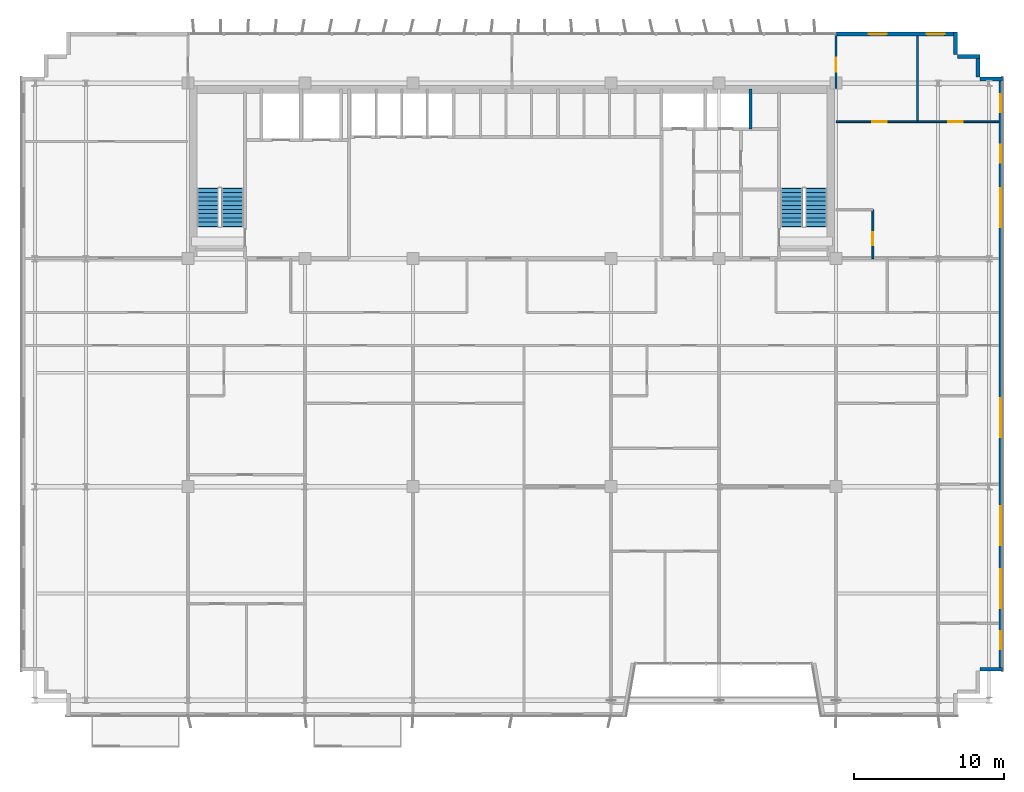
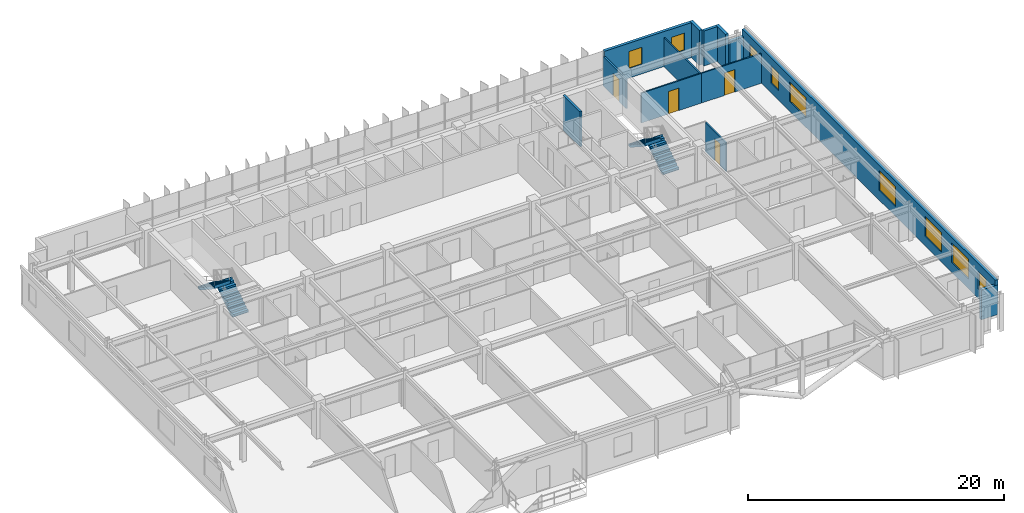
# One storey, part 23 of 26: 13 walls, 9 windows, 4 doors, 4 stair flights, 13 openings, 2 elements without a shape of their own.
"""IFC4 building model written with IfcOpenShell, lengths in metres."""

from ifc_helpers import new_model, si_unit, direction, frame, frame_2d, origin, place, context, subcontext, project, spatial, polyline, rectangle, outline, extrude, source, transform, mapped, material, layer, layer_set, type_object, element, fill, aggregate, save


model = new_model("IFC4")

# Units and contexts
model_context = context("Model", 3, precision=1e-05, world=origin(), true_north=direction((0.0, 1.0)))
body_context = subcontext(model_context, "Body", "Model", "MODEL_VIEW")
ifc_project = project(units=[si_unit("LENGTHUNIT", "METRE"), si_unit("AREAUNIT", "SQUARE_METRE"), si_unit("VOLUMEUNIT", "CUBIC_METRE"), si_unit("PLANEANGLEUNIT", "RADIAN"), si_unit("MASSUNIT", "GRAM", prefix="KILO")], contexts=[model_context])

# Site, building, storey
site_placement = place(None, origin())
site = spatial("IfcSite", under=ifc_project, at=site_placement, CompositionType="ELEMENT")
building_placement = place(site_placement, origin())
building = spatial("IfcBuilding", under=site, at=building_placement, Name="Trelvane Seafront Commons", CompositionType="ELEMENT")
storey_placement = place(building_placement, frame((0.0, 0.0, 124.89990234375)))
storey = spatial("IfcBuildingStorey", under=building, at=storey_placement, Name="L32", CompositionType="ELEMENT", Elevation=124.89990234375)

# Wall, openings, windows
ifc_material_1 = material(Name="Precast concrete C40/50", Category="concrete")
ifc_layer_1 = layer(ifc_material_1, 0.260009765625, Name="ARCH-WALL-EXT260")
ifc_layer_set_1 = layer_set([ifc_layer_1], Name="Precast concrete C40/50")
wall_type_1 = type_object("IfcWallType", Name="ARCH-WALL-EXT260", PredefinedType="SOLIDWALL", material=ifc_layer_set_1)
wall_1_placement = place(storey_placement, frame((58.800048828125, 48.3701171875, 0.0), z_axis=(0.0, 0.0, 1.0), x_axis=(1.0, 0.0, 0.0)))
wall_1 = element("IfcWall", 1, at=wall_1_placement, inside=storey, type_object=wall_type_1, Name="EW-L32-NE-0606", PredefinedType="SOLIDWALL", context=body_context, shape_type="SweptSolid", body=[
    extrude(rectangle(XDim=8.0, YDim=0.260009765625, at=frame_2d((4.0, 0.0))), origin(), (0.0, 0.0, 1.0), 3.340087890625),
])
opening_1_placement = place(wall_1_placement, frame((2.19189453125, 0.0, 0.89990234375)))
opening_1 = element("IfcOpeningElement", 2, at=opening_1_placement, cuts=wall_1, Name="Opening W05", PredefinedType="OPENING", context=body_context, shape_type="SweptSolid", body=[
    extrude(rectangle(XDim=1.199951171875, YDim=1.64990234375, at=frame_2d((0.60009765625, 0.824951171875))), frame((0.0, 0.139892578125, 0.0), z_axis=(0.0, -1.0, 0.0), x_axis=(1.0, 0.0, 0.0)), (0.0, 0.0, 1.0), 0.280029296875),
])
opening_2_placement = place(wall_1_placement, frame((6.032958984375, 0.0, 0.89990234375)))
opening_2 = element("IfcOpeningElement", 3, at=opening_2_placement, cuts=wall_1, Name="Opening W05", PredefinedType="OPENING", context=body_context, shape_type="SweptSolid", body=[
    extrude(rectangle(XDim=1.199951171875, YDim=1.64990234375, at=frame_2d((0.60009765625, 0.824951171875))), frame((0.0, 0.139892578125, 0.0), z_axis=(0.0, -1.0, 0.0), x_axis=(1.0, 0.0, 0.0)), (0.0, 0.0, 1.0), 0.280029296875),
])
ifc_material_2 = material(Name="Low-E coastal double glazing", Category="glass")
window_type_1 = type_object("IfcWindowType", Name="ARCH-WIN-W05", PartitioningType="SINGLE_PANEL", PredefinedType="WINDOW", material=ifc_material_2)
shared_shape_1 = source(origin(), body_context, "Body", "SweptSolid", [
    extrude(rectangle(XDim=1.199951171875, YDim=1.64990234375, at=frame_2d((0.60009765625, 0.824951171875))), frame((0.0, 0.030029296875, 0.0), z_axis=(0.0, -1.0, 0.0), x_axis=(1.0, 0.0, 0.0)), (0.0, 0.0, 1.0), 0.06005859375),
])
window_1_placement = place(opening_1_placement, origin())
window_1 = element("IfcWindow", 4, at=window_1_placement, inside=storey, type_object=window_type_1, Name="WIN-L32-00719", OverallHeight=1.64990234375, OverallWidth=1.199951171875, PartitioningType="SINGLE_PANEL", PredefinedType="WINDOW", context=body_context, shape_type="MappedRepresentation", body=[
    mapped(shared_shape_1, transform((0.0, 0.0, 0.0), x_axis=(1.0, 0.0, 0.0), y_axis=(0.0, 1.0, 0.0), z_axis=(0.0, 0.0, 1.0), scale=1.0)),
])
fill(opening_1, window_1)
window_2_placement = place(opening_2_placement, origin())
window_2 = element("IfcWindow", 5, at=window_2_placement, inside=storey, type_object=window_type_1, Name="WIN-L32-00720", OverallHeight=1.64990234375, OverallWidth=1.199951171875, PartitioningType="SINGLE_PANEL", PredefinedType="WINDOW", context=body_context, shape_type="MappedRepresentation", body=[
    mapped(shared_shape_1, transform((0.0, 0.0, 0.0), x_axis=(1.0, 0.0, 0.0), y_axis=(0.0, 1.0, 0.0), z_axis=(0.0, 0.0, 1.0), scale=1.0)),
])
fill(opening_2, window_2)

# Walls
for number, where, z_axis, x_axis, name in (
    (6, (66.77001953125, 48.5, 0.0), (0.0, 0.0, 1.0), (0.0, -1.0, 0.0), "EW-L32-00615"),
    (7, (66.89990234375, 46.8701171875, 0.0), (0.0, 0.0, 1.0), (1.0, 0.0, 0.0), "EW-L32-00616"),
    (8, (68.27001953125, 47.0, 0.0), (0.0, 0.0, 1.0), (0.0, -1.0, 0.0), "EW-L32-00617"),
):
    element("IfcWall", number, at=place(storey_placement, frame(where, z_axis=z_axis, x_axis=x_axis)), inside=storey, type_object=wall_type_1, Name=name, PredefinedType="SOLIDWALL", context=body_context, shape_type="SweptSolid", body=[
        extrude(rectangle(XDim=1.5, YDim=0.260009765625, at=frame_2d((0.75, 0.0))), origin(), (0.0, 0.0, 1.0), 3.340087890625),
    ])
wall_2_placement = place(storey_placement, frame((68.39990234375, 45.3701171875, 0.0), z_axis=(0.0, 0.0, 1.0), x_axis=(1.0, 0.0, 0.0)))
element("IfcWall", 9, at=wall_2_placement, inside=storey, type_object=wall_type_1, Name="EW-L32-00618", PredefinedType="SOLIDWALL", context=body_context, shape_type="SweptSolid", body=[
    extrude(rectangle(XDim=1.5, YDim=0.260009765625, at=frame_2d((0.75, 0.0))), origin(), (0.0, 0.0, 1.0), 2.752197265625),
])

# Wall, openings, windows
wall_3_placement = place(storey_placement, frame((69.77001953125, 45.5, 0.0), z_axis=(0.0, 0.0, 1.0), x_axis=(0.0, -1.0, 0.0)))
wall_3 = element("IfcWall", 10, at=wall_3_placement, inside=storey, type_object=wall_type_1, Name="EW-L32-00619", PredefinedType="SOLIDWALL", context=body_context, shape_type="SweptSolid", body=[
    extrude(rectangle(XDim=39.60009765625, YDim=0.260009765625, at=frame_2d((19.800048828125, 0.0))), origin(), (0.0, 0.0, 1.0), 3.340087890625),
])
opening_3_placement = place(wall_3_placement, frame((36.949951171875, 0.0, 0.919921875)))
opening_3 = element("IfcOpeningElement", 11, at=opening_3_placement, cuts=wall_3, Name="Opening W05", PredefinedType="OPENING", context=body_context, shape_type="SweptSolid", body=[
    extrude(rectangle(XDim=1.199951171875, YDim=1.64990234375, at=frame_2d((0.60009765625, 0.824951171875))), frame((0.0, 0.139892578125, 0.0), z_axis=(0.0, -1.0, 0.0), x_axis=(1.0, 0.0, 0.0)), (0.0, 0.0, 1.0), 0.280029296875),
])
opening_4_placement = place(wall_3_placement, frame((32.800048828125, 0.0, 0.919921875)))
opening_4 = element("IfcOpeningElement", 12, at=opening_4_placement, cuts=wall_3, Name="Opening W04", PredefinedType="OPENING", context=body_context, shape_type="SweptSolid", body=[
    extrude(rectangle(XDim=2.60009765625, YDim=1.89990234375, at=frame_2d((1.300048828125, 0.949951171875))), frame((0.0, 0.139892578125, 0.0), z_axis=(0.0, -1.0, 0.0), x_axis=(1.0, 0.0, 0.0)), (0.0, 0.0, 1.0), 0.280029296875),
])
opening_5_placement = place(wall_3_placement, frame((28.60009765625, 0.0, 0.919921875)))
opening_5 = element("IfcOpeningElement", 13, at=opening_5_placement, cuts=wall_3, Name="Opening W04", PredefinedType="OPENING", context=body_context, shape_type="SweptSolid", body=[
    extrude(rectangle(XDim=2.60009765625, YDim=1.89990234375, at=frame_2d((1.300048828125, 0.949951171875))), frame((0.0, 0.139892578125, 0.0), z_axis=(0.0, -1.0, 0.0), x_axis=(1.0, 0.0, 0.0)), (0.0, 0.0, 1.0), 0.280029296875),
])
opening_6_placement = place(wall_3_placement, frame((21.39990234375, 0.0, 0.919921875)))
opening_6 = element("IfcOpeningElement", 14, at=opening_6_placement, cuts=wall_3, Name="Opening W04", PredefinedType="OPENING", context=body_context, shape_type="SweptSolid", body=[
    extrude(rectangle(XDim=2.60009765625, YDim=1.89990234375, at=frame_2d((1.300048828125, 0.949951171875))), frame((0.0, 0.139892578125, 0.0), z_axis=(0.0, -1.0, 0.0), x_axis=(1.0, 0.0, 0.0)), (0.0, 0.0, 1.0), 0.280029296875),
])
opening_7_placement = place(wall_3_placement, frame((7.39990234375, 0.0, 0.919921875)))
opening_7 = element("IfcOpeningElement", 15, at=opening_7_placement, cuts=wall_3, Name="Opening W04", PredefinedType="OPENING", context=body_context, shape_type="SweptSolid", body=[
    extrude(rectangle(XDim=2.60009765625, YDim=1.89990234375, at=frame_2d((1.300048828125, 0.949951171875))), frame((0.0, 0.139892578125, 0.0), z_axis=(0.0, -1.0, 0.0), x_axis=(1.0, 0.0, 0.0)), (0.0, 0.0, 1.0), 0.280029296875),
])
opening_8_placement = place(wall_3_placement, frame((4.5, 0.0, 0.919921875)))
opening_8 = element("IfcOpeningElement", 16, at=opening_8_placement, cuts=wall_3, Name="Opening W05", PredefinedType="OPENING", context=body_context, shape_type="SweptSolid", body=[
    extrude(rectangle(XDim=1.199951171875, YDim=1.64990234375, at=frame_2d((0.60009765625, 0.824951171875))), frame((0.0, 0.139892578125, 0.0), z_axis=(0.0, -1.0, 0.0), x_axis=(1.0, 0.0, 0.0)), (0.0, 0.0, 1.0), 0.280029296875),
])
opening_9_placement = place(wall_3_placement, frame((1.14990234375, 0.0, 0.919921875)))
opening_9 = element("IfcOpeningElement", 17, at=opening_9_placement, cuts=wall_3, Name="Opening W05", PredefinedType="OPENING", context=body_context, shape_type="SweptSolid", body=[
    extrude(rectangle(XDim=1.199951171875, YDim=1.64990234375, at=frame_2d((0.60009765625, 0.824951171875))), frame((0.0, 0.139892578125, 0.0), z_axis=(0.0, -1.0, 0.0), x_axis=(1.0, 0.0, 0.0)), (0.0, 0.0, 1.0), 0.280029296875),
])
window_type_2 = type_object("IfcWindowType", Name="ARCH-WIN-W04", PartitioningType="SINGLE_PANEL", PredefinedType="WINDOW", material=ifc_material_2)
shared_shape_2 = source(origin(), body_context, "Body", "SweptSolid", [
    extrude(rectangle(XDim=2.60009765625, YDim=1.89990234375, at=frame_2d((1.300048828125, 0.949951171875))), frame((0.0, 0.030029296875, 0.0), z_axis=(0.0, -1.0, 0.0), x_axis=(1.0, 0.0, 0.0)), (0.0, 0.0, 1.0), 0.06005859375),
])
window_3_placement = place(opening_4_placement, origin())
window_3 = element("IfcWindow", 18, at=window_3_placement, inside=storey, type_object=window_type_2, Name="WIN-L32-EW-00728", OverallHeight=1.89990234375, OverallWidth=2.60009765625, PartitioningType="SINGLE_PANEL", PredefinedType="WINDOW", context=body_context, shape_type="MappedRepresentation", body=[
    mapped(shared_shape_2, transform((0.0, 0.0, 0.0), x_axis=(1.0, 0.0, 0.0), y_axis=(0.0, 1.0, 0.0), z_axis=(0.0, 0.0, 1.0), scale=1.0)),
])
fill(opening_4, window_3)
window_4_placement = place(opening_5_placement, origin())
window_4 = element("IfcWindow", 19, at=window_4_placement, inside=storey, type_object=window_type_2, Name="WIN-L32-EW-00729", OverallHeight=1.89990234375, OverallWidth=2.60009765625, PartitioningType="SINGLE_PANEL", PredefinedType="WINDOW", context=body_context, shape_type="MappedRepresentation", body=[
    mapped(shared_shape_2, transform((0.0, 0.0, 0.0), x_axis=(1.0, 0.0, 0.0), y_axis=(0.0, 1.0, 0.0), z_axis=(0.0, 0.0, 1.0), scale=1.0)),
])
fill(opening_5, window_4)
window_5_placement = place(opening_6_placement, origin())
window_5 = element("IfcWindow", 20, at=window_5_placement, inside=storey, type_object=window_type_2, Name="WIN-L32-EW-00730", OverallHeight=1.89990234375, OverallWidth=2.60009765625, PartitioningType="SINGLE_PANEL", PredefinedType="WINDOW", context=body_context, shape_type="MappedRepresentation", body=[
    mapped(shared_shape_2, transform((0.0, 0.0, 0.0), x_axis=(1.0, 0.0, 0.0), y_axis=(0.0, 1.0, 0.0), z_axis=(0.0, 0.0, 1.0), scale=1.0)),
])
fill(opening_6, window_5)
window_6_placement = place(opening_7_placement, origin())
window_6 = element("IfcWindow", 21, at=window_6_placement, inside=storey, type_object=window_type_2, Name="WIN-L32-EW-00731", OverallHeight=1.89990234375, OverallWidth=2.60009765625, PartitioningType="SINGLE_PANEL", PredefinedType="WINDOW", context=body_context, shape_type="MappedRepresentation", body=[
    mapped(shared_shape_2, transform((0.0, 0.0, 0.0), x_axis=(1.0, 0.0, 0.0), y_axis=(0.0, 1.0, 0.0), z_axis=(0.0, 0.0, 1.0), scale=1.0)),
])
fill(opening_7, window_6)
window_7_placement = place(opening_3_placement, origin())
window_7 = element("IfcWindow", 22, at=window_7_placement, inside=storey, type_object=window_type_1, Name="WIN-L32-EW-00727", OverallHeight=1.64990234375, OverallWidth=1.199951171875, PartitioningType="SINGLE_PANEL", PredefinedType="WINDOW", context=body_context, shape_type="MappedRepresentation", body=[
    mapped(shared_shape_1, transform((0.0, 0.0, 0.0), x_axis=(1.0, 0.0, 0.0), y_axis=(0.0, 1.0, 0.0), z_axis=(0.0, 0.0, 1.0), scale=1.0)),
])
fill(opening_3, window_7)
window_8_placement = place(opening_8_placement, origin())
window_8 = element("IfcWindow", 23, at=window_8_placement, inside=storey, type_object=window_type_1, Name="WIN-L32-EW-00732", OverallHeight=1.64990234375, OverallWidth=1.199951171875, PartitioningType="SINGLE_PANEL", PredefinedType="WINDOW", context=body_context, shape_type="MappedRepresentation", body=[
    mapped(shared_shape_1, transform((0.0, 0.0, 0.0), x_axis=(1.0, 0.0, 0.0), y_axis=(0.0, 1.0, 0.0), z_axis=(0.0, 0.0, 1.0), scale=1.0)),
])
fill(opening_8, window_8)
window_9_placement = place(opening_9_placement, origin())
window_9 = element("IfcWindow", 24, at=window_9_placement, inside=storey, type_object=window_type_1, Name="WIN-L32-EW-00733", OverallHeight=1.64990234375, OverallWidth=1.199951171875, PartitioningType="SINGLE_PANEL", PredefinedType="WINDOW", context=body_context, shape_type="MappedRepresentation", body=[
    mapped(shared_shape_1, transform((0.0, 0.0, 0.0), x_axis=(1.0, 0.0, 0.0), y_axis=(0.0, 1.0, 0.0), z_axis=(0.0, 0.0, 1.0), scale=1.0)),
])
fill(opening_9, window_9)

# Wall
wall_4_placement = place(storey_placement, frame((69.89990234375, 6.030029296875, 0.0), z_axis=(0.0, 0.0, 1.0), x_axis=(-1.0, 0.0, 0.0)))
element("IfcWall", 25, at=wall_4_placement, inside=storey, type_object=wall_type_1, Name="EW-L32-00620", PredefinedType="SOLIDWALL", context=body_context, shape_type="SweptSolid", body=[
    extrude(rectangle(XDim=1.5, YDim=0.260009765625, at=frame_2d((0.75, 0.0))), origin(), (0.0, 0.0, 1.0), 2.840087890625),
])

# Wall, opening, door
ifc_material_3 = material(Name="Gypsum Drywall Acoustic Partition")
ifc_layer_2 = layer(ifc_material_3, 0.1201171875, Name="ARCH-WALL-PART120")
ifc_layer_set_2 = layer_set([ifc_layer_2], Name="Gypsum Drywall Acoustic Partition")
wall_type_2 = type_object("IfcWallType", Name="ARCH-WALL-PART120", PredefinedType="PARTITIONING", material=ifc_layer_set_2)
wall_5_placement = place(storey_placement, frame((61.25, 33.39990234375, 0.0), z_axis=(0.0, 0.0, 1.0), x_axis=(0.0, 1.0, 0.0)))
wall_5 = element("IfcWall", 26, at=wall_5_placement, inside=storey, type_object=wall_type_2, Name="W-L32-NE-BE-052", PredefinedType="PARTITIONING", context=body_context, shape_type="SweptSolid", body=[
    extrude(rectangle(XDim=3.25, YDim=0.1201171875, at=frame_2d((1.625, 0.0))), origin(), (0.0, 0.0, 1.0), 2.752197265625),
])
opening_10_placement = place(wall_5_placement, frame((0.89990234375, 0.0, 0.0)))
opening_10 = element("IfcOpeningElement", 27, at=opening_10_placement, cuts=wall_5, Name="Opening D-L32-26", PredefinedType="OPENING", context=body_context, shape_type="SweptSolid", body=[
    extrude(rectangle(XDim=0.85009765625, YDim=2.10009765625, at=frame_2d((0.425048828125, 1.050048828125))), frame((0.0, 0.070068359375, 0.0), z_axis=(0.0, -1.0, 0.0), x_axis=(1.0, 0.0, 0.0)), (0.0, 0.0, 1.0), 0.14013671875),
])
ifc_material_4 = material(Name="Acoustic timber door leaf", Category="wood")
door_type_1 = type_object("IfcDoorType", Name="ARCH-DR-INT850", OperationType="NOTDEFINED", PredefinedType="DOOR", material=ifc_material_4)
shared_shape_3 = source(origin(), body_context, "Body", "SweptSolid", [
    extrude(rectangle(XDim=0.85009765625, YDim=2.10009765625, at=frame_2d((0.425048828125, 1.050048828125))), frame((0.0, 0.02490234375, 0.0), z_axis=(0.0, -1.0, 0.0), x_axis=(1.0, 0.0, 0.0)), (0.0, 0.0, 1.0), 0.050048828125),
])
door_1_placement = place(opening_10_placement, origin())
door_1 = element("IfcDoor", 28, at=door_1_placement, inside=storey, type_object=door_type_1, Name="L32 Door 26", OperationType="SINGLE_SWING_RIGHT", OverallHeight=2.10009765625, OverallWidth=0.85009765625, PredefinedType="DOOR", context=body_context, shape_type="MappedRepresentation", body=[
    mapped(shared_shape_3, transform((0.0, 0.0, 0.0), x_axis=(1.0, 0.0, 0.0), y_axis=(0.0, 1.0, 0.0), z_axis=(0.0, 0.0, 1.0), scale=1.0)),
])
fill(opening_10, door_1)

wall_6_placement = place(storey_placement, frame((58.800048828125, 42.52001953125, 0.0), z_axis=(0.0, 0.0, 1.0), x_axis=(1.0, 0.0, 0.0)))
wall_6 = element("IfcWall", 29, at=wall_6_placement, inside=storey, type_object=wall_type_2, Name="W-L32-NE-KB1-054", PredefinedType="PARTITIONING", context=body_context, shape_type="SweptSolid", body=[
    extrude(rectangle(XDim=5.425048828125, YDim=0.1201171875, at=frame_2d((2.71240234375, 0.0))), origin(), (0.0, 0.0, 1.0), 2.840087890625),
])
opening_11_placement = place(wall_6_placement, frame((2.423095703125, 0.0, 0.0)))
opening_11 = element("IfcOpeningElement", 30, at=opening_11_placement, cuts=wall_6, Name="Opening D-L32-27", PredefinedType="OPENING", context=body_context, shape_type="SweptSolid", body=[
    extrude(rectangle(XDim=0.949951171875, YDim=2.14990234375, at=frame_2d((0.47509765625, 1.074951171875))), frame((0.0, 0.070068359375, 0.0), z_axis=(0.0, -1.0, 0.0), x_axis=(1.0, 0.0, 0.0)), (0.0, 0.0, 1.0), 0.14013671875),
])
door_type_2 = type_object("IfcDoorType", Name="ARCH-DR-INT950", OperationType="NOTDEFINED", PredefinedType="DOOR", material=ifc_material_4)
shared_shape_4 = source(origin(), body_context, "Body", "SweptSolid", [
    extrude(rectangle(XDim=0.949951171875, YDim=2.14990234375, at=frame_2d((0.47509765625, 1.074951171875))), frame((0.0, 0.02490234375, 0.0), z_axis=(0.0, -1.0, 0.0), x_axis=(1.0, 0.0, 0.0)), (0.0, 0.0, 1.0), 0.050048828125),
])
door_2_placement = place(opening_11_placement, origin())
door_2 = element("IfcDoor", 31, at=door_2_placement, inside=storey, type_object=door_type_2, Name="L32 Door 27", OperationType="SINGLE_SWING_LEFT", OverallHeight=2.14990234375, OverallWidth=0.949951171875, PredefinedType="DOOR", context=body_context, shape_type="MappedRepresentation", body=[
    mapped(shared_shape_4, transform((0.0, 0.0, 0.0), x_axis=(1.0, 0.0, 0.0), y_axis=(0.0, 1.0, 0.0), z_axis=(0.0, 0.0, 1.0), scale=1.0)),
])
fill(opening_11, door_2)

wall_7_placement = place(storey_placement, frame((64.22509765625, 42.52001953125, 0.0), z_axis=(0.0, 0.0, 1.0), x_axis=(1.0, 0.0, 0.0)))
wall_7 = element("IfcWall", 32, at=wall_7_placement, inside=storey, type_object=wall_type_2, Name="W-L32-NE-KB2-055", PredefinedType="PARTITIONING", context=body_context, shape_type="SweptSolid", body=[
    extrude(rectangle(XDim=5.4248046875, YDim=0.1201171875, at=frame_2d((2.71240234375, 0.0))), origin(), (0.0, 0.0, 1.0), 2.840087890625),
])
opening_12_placement = place(wall_7_placement, frame((2.052001953125, 0.0, 0.0)))
opening_12 = element("IfcOpeningElement", 33, at=opening_12_placement, cuts=wall_7, Name="Opening D-L32-28", PredefinedType="OPENING", context=body_context, shape_type="SweptSolid", body=[
    extrude(rectangle(XDim=0.949951171875, YDim=2.14990234375, at=frame_2d((0.47509765625, 1.074951171875))), frame((0.0, 0.070068359375, 0.0), z_axis=(0.0, -1.0, 0.0), x_axis=(1.0, 0.0, 0.0)), (0.0, 0.0, 1.0), 0.14013671875),
])
door_3_placement = place(opening_12_placement, origin())
door_3 = element("IfcDoor", 34, at=door_3_placement, inside=storey, type_object=door_type_2, Name="L32 Door 28", OperationType="SINGLE_SWING_RIGHT", OverallHeight=2.14990234375, OverallWidth=0.949951171875, PredefinedType="DOOR", context=body_context, shape_type="MappedRepresentation", body=[
    mapped(shared_shape_4, transform((0.0, 0.0, 0.0), x_axis=(1.0, 0.0, 0.0), y_axis=(0.0, 1.0, 0.0), z_axis=(0.0, 0.0, 1.0), scale=1.0)),
])
fill(opening_12, door_3)

# Wall
wall_8_placement = place(storey_placement, frame((64.22509765625, 42.52001953125, 0.0), z_axis=(0.0, 0.0, 1.0), x_axis=(0.0, 1.0, 0.0)))
element("IfcWall", 35, at=wall_8_placement, inside=storey, type_object=wall_type_2, Name="W-L32-NE-KBDV-056", PredefinedType="PARTITIONING", context=body_context, shape_type="SweptSolid", body=[
    extrude(rectangle(XDim=5.719970703125, YDim=0.1201171875, at=frame_2d((2.85986328125, 0.0))), origin(), (0.0, 0.0, 1.0), 2.752197265625),
])

# Wall, opening, door
ifc_layer_3 = layer(ifc_material_3, 0.14990234375, Name="ARCH-WALL-PART150")
ifc_layer_set_3 = layer_set([ifc_layer_3], Name="Gypsum Drywall Acoustic Partition")
wall_type_3 = type_object("IfcWallType", Name="ARCH-WALL-PART150", PredefinedType="PARTITIONING", material=ifc_layer_set_3)
wall_9_placement = place(storey_placement, frame((58.800048828125, 44.75, 0.0), z_axis=(0.0, 0.0, 1.0), x_axis=(0.0, 1.0, 0.0)))
wall_9 = element("IfcWall", 36, at=wall_9_placement, inside=storey, type_object=wall_type_3, Name="W-L32-N-LINK-E-060", PredefinedType="PARTITIONING", context=body_context, shape_type="SweptSolid", body=[
    extrude(rectangle(XDim=3.610107421875, YDim=0.14990234375, at=frame_2d((1.80517578125, 0.0))), origin(), (0.0, 0.0, 1.0), 2.840087890625),
])
opening_13_placement = place(wall_9_placement, frame((1.10009765625, 0.0, 0.0)))
opening_13 = element("IfcOpeningElement", 37, at=opening_13_placement, cuts=wall_9, Name="Opening FD-L32-32", PredefinedType="OPENING", context=body_context, shape_type="SweptSolid", body=[
    extrude(rectangle(XDim=0.949951171875, YDim=2.14990234375, at=frame_2d((0.47509765625, 1.074951171875))), frame((0.0, 0.0849609375, 0.0), z_axis=(0.0, -1.0, 0.0), x_axis=(1.0, 0.0, 0.0)), (0.0, 0.0, 1.0), 0.169921875),
])
ifc_material_5 = material(Name="Powder-coated aluminium frame", Category="aluminium")
door_type_3 = type_object("IfcDoorType", Name="ARCH-DR-FD60-950", OperationType="NOTDEFINED", PredefinedType="DOOR", material=ifc_material_5)
door_4_placement = place(opening_13_placement, origin())
door_4 = element("IfcDoor", 38, at=door_4_placement, inside=storey, type_object=door_type_3, Name="L32 Door 32", OperationType="SINGLE_SWING_RIGHT", OverallHeight=2.14990234375, OverallWidth=0.949951171875, PredefinedType="DOOR", context=body_context, shape_type="MappedRepresentation", body=[
    mapped(shared_shape_4, transform((0.0, 0.0, 0.0), x_axis=(1.0, 0.0, 0.0), y_axis=(0.0, 1.0, 0.0), z_axis=(0.0, 0.0, 1.0), scale=1.0)),
])
fill(opening_13, door_4)

# Wall
ifc_material_6 = material(Name="Concrete C40/50", Category="concrete")
ifc_layer_4 = layer(ifc_material_6, 0.199951171875, Name="ARCH-WALL-SHAFT200")
ifc_layer_set_4 = layer_set([ifc_layer_4], Name="Concrete C40/50")
wall_type_4 = type_object("IfcWallType", Name="ARCH-WALL-SHAFT200", PredefinedType="SOLIDWALL", material=ifc_layer_set_4)
wall_10_placement = place(storey_placement, frame((53.10009765625, 42.050048828125, 0.0), z_axis=(0.0, 0.0, 1.0), x_axis=(0.0, 1.0, 0.0)))
element("IfcWall", 39, at=wall_10_placement, inside=storey, type_object=wall_type_4, Name="W-L32-RSR-E-032", PredefinedType="SOLIDWALL", context=body_context, shape_type="SweptSolid", body=[
    extrude(rectangle(XDim=2.64990234375, YDim=0.199951171875, at=frame_2d((1.324951171875, 0.0))), origin(), (0.0, 0.0, 1.0), 3.340087890625),
])

# Stair, stair flights
stair_type_1 = type_object("IfcStairType", Name="ARCH-STR-ST-1-R20-180", PredefinedType="HALF_TURN_STAIR", material=ifc_material_6)
stair_1_placement = place(storey_placement, origin())
stair_1 = element("IfcStair", 40, at=stair_1_placement, inside=storey, type_object=stair_type_1, Name="L32 West Protected Firefighting Exit Stair ST-1", PredefinedType="HALF_TURN_STAIR")
stair_flight_type_1 = type_object("IfcStairFlightType", Name="ARCH-FLG-ST-1-R20-180", PredefinedType="STRAIGHT", material=ifc_material_6)
shared_shape_5 = source(origin(), body_context, "Body", "SweptSolid", [
    extrude(outline(polyline([(-0.050048828125, -0.02001953125), (-0.050048828125, 0.0), (0.0, 0.0), (0.0, 0.179931640625), (0.280029296875, 0.179931640625), (0.280029296875, 0.360107421875), (0.56005859375, 0.360107421875), (0.56005859375, 0.5400390625), (0.840087890625, 0.5400390625), (0.840087890625, 0.719970703125), (1.1201171875, 0.719970703125), (1.1201171875, 0.89990234375), (1.39990234375, 0.89990234375), (1.39990234375, 1.080078125), (1.679931640625, 1.080078125), (1.679931640625, 1.260009765625), (1.9599609375, 1.260009765625), (1.9599609375, 1.43994140625), (2.239990234375, 1.43994140625), (2.239990234375, 1.6201171875), (2.52001953125, 1.6201171875), (2.52001953125, 1.800048828125), (2.570068359375, 1.800048828125), (2.570068359375, 1.650146484375), (2.52001953125, 1.44189453125), (0.277099609375, -0.02001953125), (-0.050048828125, -0.02001953125)])), frame((0.0, 0.72509765625, 0.0), z_axis=(0.0, -1.0, 0.0), x_axis=(1.0, 0.0, 0.0)), (0.0, 0.0, 1.0), 1.449951171875),
])
stair_flight_1_placement = place(storey_placement, frame((18.574951171875, 35.550048828125, 0.0), z_axis=(0.0, 0.0, 1.0), x_axis=(0.0, 1.0, 0.0)))
stair_flight_1 = element("IfcStairFlight", 41, at=stair_flight_1_placement, type_object=stair_flight_type_1, Name="ST-1 flight 1", NumberOfRisers=10, NumberOfTreads=9, PredefinedType="STRAIGHT", RiserHeight=0.18, TreadLength=0.28, context=body_context, shape_type="MappedRepresentation", body=[
    mapped(shared_shape_5, transform((0.0, 0.0, 0.0), x_axis=(1.0, 0.0, 0.0), y_axis=(0.0, 1.0, 0.0), z_axis=(0.0, 0.0, 1.0), scale=1.0)),
])
stair_flight_2_placement = place(storey_placement, frame((16.925048828125, 38.070068359375, 1.800048828125), z_axis=(0.0, 0.0, 1.0), x_axis=(0.0, -1.0, 0.0)))
stair_flight_2 = element("IfcStairFlight", 42, at=stair_flight_2_placement, type_object=stair_flight_type_1, Name="ST-1 flight 2", NumberOfRisers=10, NumberOfTreads=9, PredefinedType="STRAIGHT", RiserHeight=0.18, TreadLength=0.28, context=body_context, shape_type="MappedRepresentation", body=[
    mapped(shared_shape_5, transform((0.0, 0.0, 0.0), x_axis=(1.0, 0.0, 0.0), y_axis=(0.0, 1.0, 0.0), z_axis=(0.0, 0.0, 1.0), scale=1.0)),
])
aggregate(stair_1, [stair_flight_1, stair_flight_2])

stair_type_2 = type_object("IfcStairType", Name="ARCH-STR-ST-2-R20-180", PredefinedType="HALF_TURN_STAIR", material=ifc_material_6)
stair_2_placement = place(storey_placement, origin())
stair_2 = element("IfcStair", 43, at=stair_2_placement, inside=storey, type_object=stair_type_2, Name="L32 East Protected Firefighting Exit Stair ST-2", PredefinedType="HALF_TURN_STAIR")
stair_flight_type_2 = type_object("IfcStairFlightType", Name="ARCH-FLG-ST-2-R20-180", PredefinedType="STRAIGHT", material=ifc_material_6)
stair_flight_3_placement = place(storey_placement, frame((57.47509765625, 35.550048828125, 0.0), z_axis=(0.0, 0.0, 1.0), x_axis=(0.0, 1.0, 0.0)))
stair_flight_3 = element("IfcStairFlight", 44, at=stair_flight_3_placement, type_object=stair_flight_type_2, Name="ST-2 flight 1", NumberOfRisers=10, NumberOfTreads=9, PredefinedType="STRAIGHT", RiserHeight=0.18, TreadLength=0.28, context=body_context, shape_type="MappedRepresentation", body=[
    mapped(shared_shape_5, transform((0.0, 0.0, 0.0), x_axis=(1.0, 0.0, 0.0), y_axis=(0.0, 1.0, 0.0), z_axis=(0.0, 0.0, 1.0), scale=1.0)),
])
stair_flight_4_placement = place(storey_placement, frame((55.824951171875, 38.070068359375, 1.800048828125), z_axis=(0.0, 0.0, 1.0), x_axis=(0.0, -1.0, 0.0)))
stair_flight_4 = element("IfcStairFlight", 45, at=stair_flight_4_placement, type_object=stair_flight_type_2, Name="ST-2 flight 2", NumberOfRisers=10, NumberOfTreads=9, PredefinedType="STRAIGHT", RiserHeight=0.18, TreadLength=0.28, context=body_context, shape_type="MappedRepresentation", body=[
    mapped(shared_shape_5, transform((0.0, 0.0, 0.0), x_axis=(1.0, 0.0, 0.0), y_axis=(0.0, 1.0, 0.0), z_axis=(0.0, 0.0, 1.0), scale=1.0)),
])
aggregate(stair_2, [stair_flight_3, stair_flight_4])

save(model, "model.ifc")
